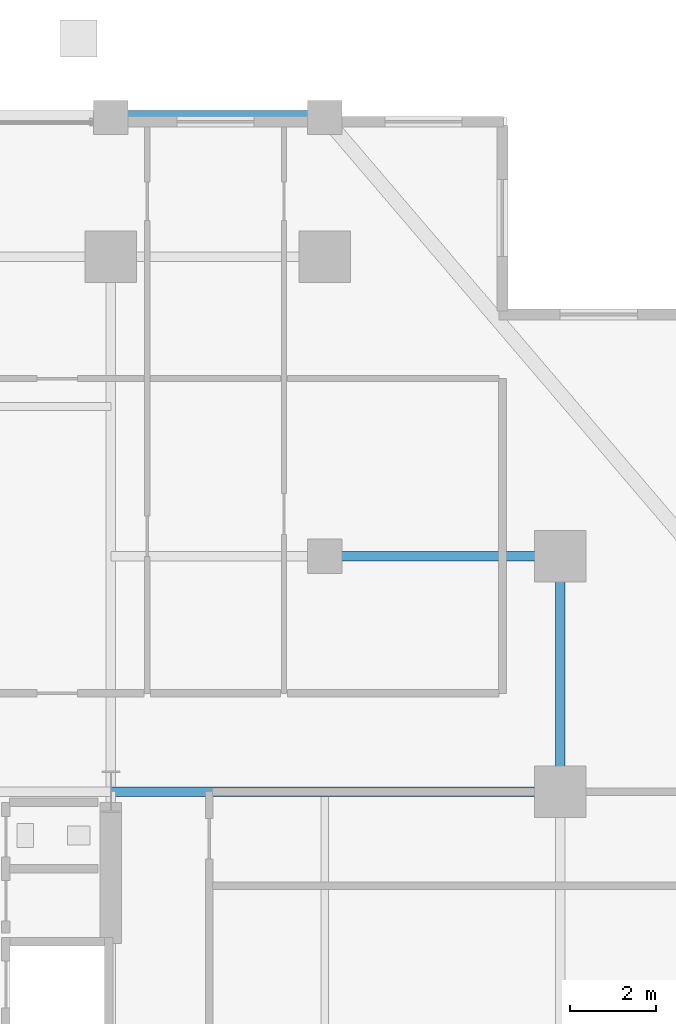
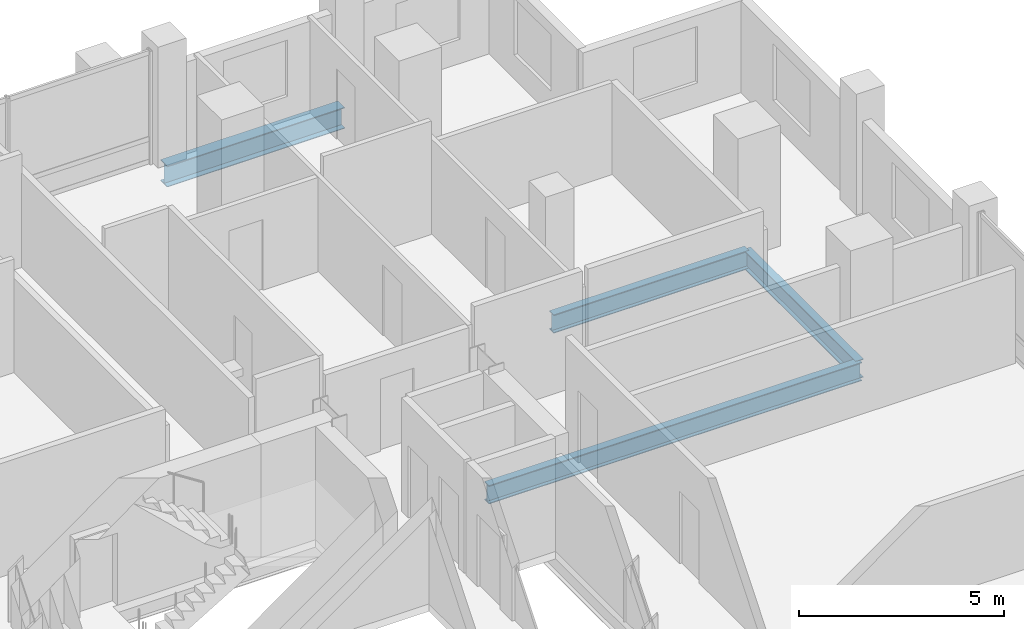
# One storey, part 11 of 20: 4 beams.
"""IFC4 building model written with IfcOpenShell, lengths in metres."""

from ifc_helpers import new_model, si_unit, direction, frame, origin, origin_2d, place, context, subcontext, project, spatial, i_section, extrude, material, material_profile, profile_set, type_object, element, save


model = new_model("IFC4")

# Units and contexts
model_context = context("Model", 3, precision=1e-05, world=origin(), true_north=direction((0.0, 1.0)))
body_context = subcontext(model_context, "Body", "Model", "MODEL_VIEW")
ifc_project = project(units=[si_unit("LENGTHUNIT", "METRE"), si_unit("AREAUNIT", "SQUARE_METRE"), si_unit("VOLUMEUNIT", "CUBIC_METRE"), si_unit("PLANEANGLEUNIT", "RADIAN"), si_unit("MASSUNIT", "GRAM", prefix="KILO")], contexts=[model_context])

# Site, building, storey
site_placement = place(None, origin())
site = spatial("IfcSite", under=ifc_project, at=site_placement, CompositionType="ELEMENT")
building_placement = place(site_placement, origin())
building = spatial("IfcBuilding", under=site, at=building_placement, Name="Barlavira Tower and Art Museum", CompositionType="ELEMENT")
storey_placement = place(building_placement, frame((0.0, 0.0, 136.800048828125)))
storey = spatial("IfcBuildingStorey", under=building, at=storey_placement, Name="L34", CompositionType="ELEMENT", Elevation=136.800048828125)

# Beams
ifc_material = material(Name="Steel S355", Category="steel")
ifc_material_profile_1 = material_profile(ifc_material, i_section(OverallWidth=0.327880859375, OverallDepth=0.62890625, WebThickness=0.013916015625, FlangeThickness=0.021484375, at=origin_2d()), Name="W610x174.0")
ifc_profile_set_1 = profile_set([ifc_material_profile_1], Name="Steel S355")
beam_type_1 = type_object("IfcBeamType", Name="Perimeter Spandrel Edge Beam W610x174 Steel S355", PredefinedType="SPANDREL", material=ifc_profile_set_1)
beam_1_placement = place(storey_placement, frame((6.5, 23.25, -0.53466796875), z_axis=(1.0, 0.0, 0.0), x_axis=(0.0, 1.0, 0.0)))
element("IfcBeam", 1, at=beam_1_placement, inside=storey, type_object=beam_type_1, Name="L34 Spandrel 9", PredefinedType="SPANDREL", context=body_context, shape_type="SweptSolid", body=[
    extrude(i_section(OverallWidth=0.327880859375, OverallDepth=0.62890625, WebThickness=0.013916015625, FlangeThickness=0.021484375, at=origin_2d()), origin(), (0.0, 0.0, 1.0), 5.0),
])
ifc_material_profile_2 = material_profile(ifc_material, i_section(OverallWidth=0.214111328125, OverallDepth=0.549072265625, WebThickness=0.0146484375, FlangeThickness=0.023681640625, at=origin_2d()), Name="W530x138.0")
ifc_profile_set_2 = profile_set([ifc_material_profile_2], Name="Steel S355")
beam_type_2 = type_object("IfcBeamType", Name="Zone 1 Primary Floor Girder W530x138 Steel S355", PredefinedType="BEAM", material=ifc_profile_set_2)
beam_2_placement = place(storey_placement, frame((17.0, 7.5, -0.49462890625), z_axis=(0.0, 1.0, 0.0), x_axis=(-1.0, 0.0, 0.0)))
element("IfcBeam", 2, at=beam_2_placement, inside=storey, type_object=beam_type_2, Name="L34 Girder M-E3", PredefinedType="BEAM", context=body_context, shape_type="SweptSolid", body=[
    extrude(i_section(OverallWidth=0.214111328125, OverallDepth=0.549072265625, WebThickness=0.0146484375, FlangeThickness=0.023681640625, at=origin_2d()), origin(), (0.0, 0.0, 1.0), 5.5),
])
beam_3_placement = place(storey_placement, frame((6.5, 7.5, -0.49462890625), z_axis=(1.0, 0.0, 0.0), x_axis=(0.0, 1.0, 0.0)))
element("IfcBeam", 3, at=beam_3_placement, inside=storey, type_object=beam_type_2, Name="L34 Girder R-E2", PredefinedType="BEAM", context=body_context, shape_type="SweptSolid", body=[
    extrude(i_section(OverallWidth=0.214111328125, OverallDepth=0.549072265625, WebThickness=0.0146484375, FlangeThickness=0.023681640625, at=origin_2d()), origin(), (0.0, 0.0, 1.0), 10.5),
])
beam_4_placement = place(storey_placement, frame((11.5, 13.0, -0.49462890625), z_axis=(1.0, 0.0, 0.0), x_axis=(0.0, 1.0, 0.0)))
element("IfcBeam", 4, at=beam_4_placement, inside=storey, type_object=beam_type_2, Name="L34 Girder I-N4", PredefinedType="BEAM", context=body_context, shape_type="SweptSolid", body=[
    extrude(i_section(OverallWidth=0.214111328125, OverallDepth=0.549072265625, WebThickness=0.0146484375, FlangeThickness=0.023681640625, at=origin_2d()), origin(), (0.0, 0.0, 1.0), 5.5),
])

save(model, "model.ifc")
